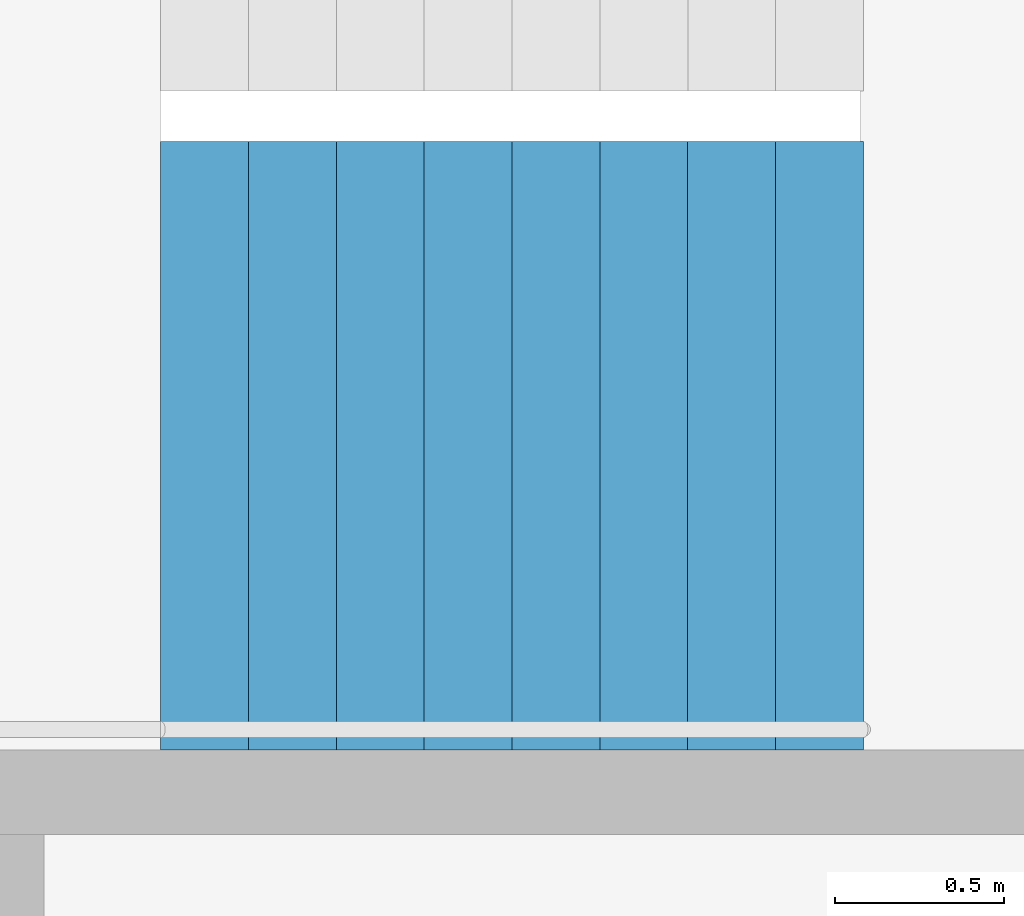
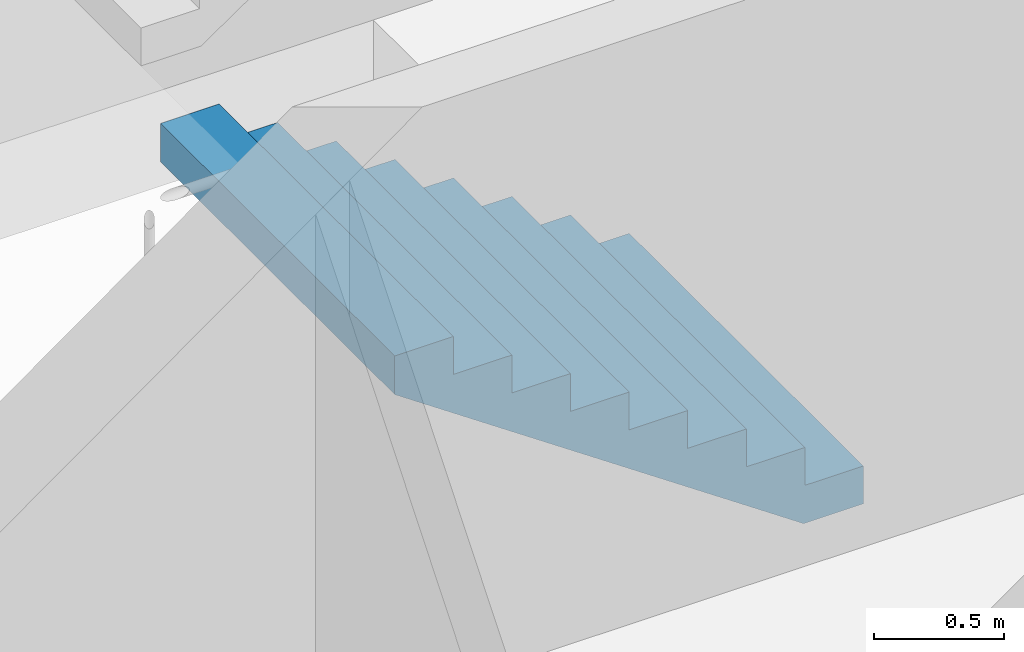
# One storey, part 25 of 32: 1 stair flight, 1 element without a shape of its own.
"""IFC4 building model written with IfcOpenShell, lengths in metres."""

from ifc_helpers import new_model, si_unit, direction, frame, origin, place, context, subcontext, project, spatial, triangles, material, type_object, element, aggregate, save


model = new_model("IFC4")

# Units and contexts
model_context = context("Model", 3, precision=1e-05, world=origin(), true_north=direction((0.0, 1.0)))
body_context = subcontext(model_context, "Body", "Model", "MODEL_VIEW")
ifc_project = project(units=[si_unit("LENGTHUNIT", "METRE"), si_unit("AREAUNIT", "SQUARE_METRE"), si_unit("VOLUMEUNIT", "CUBIC_METRE"), si_unit("PLANEANGLEUNIT", "RADIAN"), si_unit("MASSUNIT", "GRAM", prefix="KILO")], contexts=[model_context])

# Site, building, storey
site_placement = place(None, origin())
site = spatial("IfcSite", under=ifc_project, at=site_placement, CompositionType="ELEMENT")
building_placement = place(site_placement, origin())
building = spatial("IfcBuilding", under=site, at=building_placement, Name="Hakoniwa Tower and Hamabe Station Hall", CompositionType="ELEMENT")
storey_placement = place(building_placement, frame((0.0, 0.0, 150.199951171875)))
storey = spatial("IfcBuildingStorey", under=building, at=storey_placement, Name="L42", CompositionType="ELEMENT", Elevation=150.199951171875)

# Stair, stair flight
ifc_material_1 = material(Name="Concrete C40", Category="concrete")
stair_type = type_object("IfcStairType", Name="ESCAPE STAIR 1800", PredefinedType="HALF_TURN_STAIR", material=ifc_material_1)
stair_placement = place(storey_placement, origin())
stair = element("IfcStair", 1, at=stair_placement, inside=storey, type_object=stair_type, Name="Escape stair ST-3 L42", PredefinedType="HALF_TURN_STAIR")
ifc_material_2 = material(Name="Concrete C40", Category="concrete")
stair_flight_type = type_object("IfcStairFlightType", Name="STAIR FLIGHT 1800", PredefinedType="STRAIGHT", material=ifc_material_2)
stair_flight_placement = place(storey_placement, frame((24.39990234375, 4.64990234375, 0.0), z_axis=(0.0, 0.0, 1.0), x_axis=(-1.0, 0.0, 0.0)))
stair_flight = element("IfcStairFlight", 2, at=stair_flight_placement, type_object=stair_flight_type, Name="ST-3 flight 1", NumberOfRisers=9, NumberOfTreads=8, PredefinedType="STRAIGHT", RiserHeight=0.177777778, TreadLength=0.26, context=body_context, shape_type="Tessellation", body=[
    triangles([(0.0, 0.89990234375, 0.0), (0.260009765625, 0.89990234375, 0.0), (0.265625, 0.89990234375, 0.0), (0.52001953125, 0.89990234375, 0.174072265625), (0.780029296875, 0.89990234375, 0.351806640625), (1.0400390625, 0.89990234375, 0.529541015625), (1.300048828125, 0.89990234375, 0.707275390625), (1.56005859375, 0.89990234375, 0.885009765625), (1.820068359375, 0.89990234375, 1.062744140625), (2.080078125, 0.89990234375, 1.24072265625), (2.080078125, 0.89990234375, 1.422119140625), (1.820068359375, 0.89990234375, 1.422119140625), (1.820068359375, 0.89990234375, 1.244384765625), (1.56005859375, 0.89990234375, 1.244384765625), (1.56005859375, 0.89990234375, 1.066650390625), (1.300048828125, 0.89990234375, 1.066650390625), (1.300048828125, 0.89990234375, 0.888916015625), (1.0400390625, 0.89990234375, 0.888916015625), (1.0400390625, 0.89990234375, 0.711181640625), (0.780029296875, 0.89990234375, 0.711181640625), (0.780029296875, 0.89990234375, 0.533447265625), (0.52001953125, 0.89990234375, 0.533447265625), (0.52001953125, 0.89990234375, 0.35546875), (0.265625, 0.89990234375, 0.35546875), (0.260009765625, 0.89990234375, 0.35546875), (0.260009765625, 0.89990234375, 0.177734375), (0.0, 0.89990234375, 0.177734375), (0.0, 0.06005859375, 0.0), (0.260009765625, 0.06005859375, 0.0), (0.265625, 0.06005859375, 0.0), (0.52001953125, 0.06005859375, 0.174072265625), (0.780029296875, 0.06005859375, 0.351806640625), (1.0400390625, 0.06005859375, 0.529541015625), (1.300048828125, 0.06005859375, 0.707275390625), (1.56005859375, 0.06005859375, 0.885009765625), (1.820068359375, 0.06005859375, 1.062744140625), (2.080078125, 0.06005859375, 1.24072265625), (2.080078125, 0.06005859375, 1.422119140625), (1.820068359375, 0.06005859375, 1.422119140625), (1.820068359375, 0.06005859375, 1.244384765625), (1.56005859375, 0.06005859375, 1.244384765625), (1.56005859375, 0.06005859375, 1.066650390625), (1.300048828125, 0.06005859375, 1.066650390625), (1.300048828125, 0.06005859375, 0.888916015625), (1.0400390625, 0.06005859375, 0.888916015625), (1.0400390625, 0.06005859375, 0.711181640625), (0.780029296875, 0.06005859375, 0.711181640625), (0.780029296875, 0.06005859375, 0.533447265625), (0.52001953125, 0.06005859375, 0.533447265625), (0.52001953125, 0.06005859375, 0.35546875), (0.265625, 0.06005859375, 0.35546875), (0.260009765625, 0.06005859375, 0.35546875), (0.260009765625, 0.06005859375, 0.177734375), (0.0, 0.06005859375, 0.177734375), (0.0, 0.04296875, 0.0), (0.260009765625, 0.04296875, 0.0), (0.265625, 0.04296875, 0.0), (0.52001953125, 0.04296875, 0.174072265625), (0.780029296875, 0.04296875, 0.351806640625), (1.0400390625, 0.04296875, 0.529541015625), (1.300048828125, 0.04296875, 0.707275390625), (1.56005859375, 0.04296875, 0.885009765625), (1.820068359375, 0.04296875, 1.062744140625), (2.080078125, 0.04296875, 1.24072265625), (2.080078125, 0.04296875, 1.422119140625), (1.820068359375, 0.04296875, 1.422119140625), (1.820068359375, 0.04296875, 1.244384765625), (1.56005859375, 0.04296875, 1.244384765625), (1.56005859375, 0.04296875, 1.066650390625), (1.300048828125, 0.04296875, 1.066650390625), (1.300048828125, 0.04296875, 0.888916015625), (1.0400390625, 0.04296875, 0.888916015625), (1.0400390625, 0.04296875, 0.711181640625), (0.780029296875, 0.04296875, 0.711181640625), (0.780029296875, 0.04296875, 0.533447265625), (0.52001953125, 0.04296875, 0.533447265625), (0.52001953125, 0.04296875, 0.35546875), (0.265625, 0.04296875, 0.35546875), (0.260009765625, 0.04296875, 0.35546875), (0.260009765625, 0.04296875, 0.177734375), (0.0, 0.04296875, 0.177734375), (0.0, 0.025634765625, 0.0), (0.260009765625, 0.025634765625, 0.0), (0.265625, 0.025634765625, 0.0), (0.52001953125, 0.025634765625, 0.174072265625), (0.780029296875, 0.025634765625, 0.351806640625), (1.0400390625, 0.025634765625, 0.529541015625), (1.300048828125, 0.025634765625, 0.707275390625), (1.56005859375, 0.025634765625, 0.885009765625), (1.820068359375, 0.025634765625, 1.062744140625), (2.080078125, 0.025634765625, 1.24072265625), (2.080078125, 0.025634765625, 1.422119140625), (1.820068359375, 0.025634765625, 1.422119140625), (1.820068359375, 0.025634765625, 1.244384765625), (1.56005859375, 0.025634765625, 1.244384765625), (1.56005859375, 0.025634765625, 1.066650390625), (1.300048828125, 0.025634765625, 1.066650390625), (1.300048828125, 0.025634765625, 0.888916015625), (1.0400390625, 0.025634765625, 0.888916015625), (1.0400390625, 0.025634765625, 0.711181640625), (0.780029296875, 0.025634765625, 0.711181640625), (0.780029296875, 0.025634765625, 0.533447265625), (0.52001953125, 0.025634765625, 0.533447265625), (0.52001953125, 0.025634765625, 0.35546875), (0.265625, 0.025634765625, 0.35546875), (0.260009765625, 0.025634765625, 0.35546875), (0.260009765625, 0.025634765625, 0.177734375), (0.0, 0.025634765625, 0.177734375), (0.0, 0.008544921875, 0.0), (0.260009765625, 0.008544921875, 0.0), (0.265625, 0.008544921875, 0.0), (0.52001953125, 0.008544921875, 0.174072265625), (0.780029296875, 0.008544921875, 0.351806640625), (1.0400390625, 0.008544921875, 0.529541015625), (1.300048828125, 0.008544921875, 0.707275390625), (1.56005859375, 0.008544921875, 0.885009765625), (1.820068359375, 0.008544921875, 1.062744140625), (2.080078125, 0.008544921875, 1.24072265625), (2.080078125, 0.008544921875, 1.422119140625), (1.820068359375, 0.008544921875, 1.422119140625), (1.820068359375, 0.008544921875, 1.244384765625), (1.56005859375, 0.008544921875, 1.244384765625), (1.56005859375, 0.008544921875, 1.066650390625), (1.300048828125, 0.008544921875, 1.066650390625), (1.300048828125, 0.008544921875, 0.888916015625), (1.0400390625, 0.008544921875, 0.888916015625), (1.0400390625, 0.008544921875, 0.711181640625), (0.780029296875, 0.008544921875, 0.711181640625), (0.780029296875, 0.008544921875, 0.533447265625), (0.52001953125, 0.008544921875, 0.533447265625), (0.52001953125, 0.008544921875, 0.35546875), (0.265625, 0.008544921875, 0.35546875), (0.260009765625, 0.008544921875, 0.35546875), (0.260009765625, 0.008544921875, 0.177734375), (0.0, 0.008544921875, 0.177734375), (0.0, -0.008544921875, 0.0), (0.260009765625, -0.008544921875, 0.0), (0.265625, -0.008544921875, 0.0), (0.52001953125, -0.008544921875, 0.174072265625), (0.780029296875, -0.008544921875, 0.351806640625), (1.0400390625, -0.008544921875, 0.529541015625), (1.300048828125, -0.008544921875, 0.707275390625), (1.56005859375, -0.008544921875, 0.885009765625), (1.820068359375, -0.008544921875, 1.062744140625), (2.080078125, -0.008544921875, 1.24072265625), (2.080078125, -0.008544921875, 1.422119140625), (1.820068359375, -0.008544921875, 1.422119140625), (1.820068359375, -0.008544921875, 1.244384765625), (1.56005859375, -0.008544921875, 1.244384765625), (1.56005859375, -0.008544921875, 1.066650390625), (1.300048828125, -0.008544921875, 1.066650390625), (1.300048828125, -0.008544921875, 0.888916015625), (1.0400390625, -0.008544921875, 0.888916015625), (1.0400390625, -0.008544921875, 0.711181640625), (0.780029296875, -0.008544921875, 0.711181640625), (0.780029296875, -0.008544921875, 0.533447265625), (0.52001953125, -0.008544921875, 0.533447265625), (0.52001953125, -0.008544921875, 0.35546875), (0.265625, -0.008544921875, 0.35546875), (0.260009765625, -0.008544921875, 0.35546875), (0.260009765625, -0.008544921875, 0.177734375), (0.0, -0.008544921875, 0.177734375), (0.0, -0.025634765625, 0.0), (0.260009765625, -0.025634765625, 0.0), (0.265625, -0.025634765625, 0.0), (0.52001953125, -0.025634765625, 0.174072265625), (0.780029296875, -0.025634765625, 0.351806640625), (1.0400390625, -0.025634765625, 0.529541015625), (1.300048828125, -0.025634765625, 0.707275390625), (1.56005859375, -0.025634765625, 0.885009765625), (1.820068359375, -0.025634765625, 1.062744140625), (2.080078125, -0.025634765625, 1.24072265625), (2.080078125, -0.025634765625, 1.422119140625), (1.820068359375, -0.025634765625, 1.422119140625), (1.820068359375, -0.025634765625, 1.244384765625), (1.56005859375, -0.025634765625, 1.244384765625), (1.56005859375, -0.025634765625, 1.066650390625), (1.300048828125, -0.025634765625, 1.066650390625), (1.300048828125, -0.025634765625, 0.888916015625), (1.0400390625, -0.025634765625, 0.888916015625), (1.0400390625, -0.025634765625, 0.711181640625), (0.780029296875, -0.025634765625, 0.711181640625), (0.780029296875, -0.025634765625, 0.533447265625), (0.52001953125, -0.025634765625, 0.533447265625), (0.52001953125, -0.025634765625, 0.35546875), (0.265625, -0.025634765625, 0.35546875), (0.260009765625, -0.025634765625, 0.35546875), (0.260009765625, -0.025634765625, 0.177734375), (0.0, -0.025634765625, 0.177734375), (0.0, -0.04296875, 0.0), (0.260009765625, -0.04296875, 0.0), (0.265625, -0.04296875, 0.0), (0.52001953125, -0.04296875, 0.174072265625), (0.780029296875, -0.04296875, 0.351806640625), (1.0400390625, -0.04296875, 0.529541015625), (1.300048828125, -0.04296875, 0.707275390625), (1.56005859375, -0.04296875, 0.885009765625), (1.820068359375, -0.04296875, 1.062744140625), (2.080078125, -0.04296875, 1.24072265625), (2.080078125, -0.04296875, 1.422119140625), (1.820068359375, -0.04296875, 1.422119140625), (1.820068359375, -0.04296875, 1.244384765625), (1.56005859375, -0.04296875, 1.244384765625), (1.56005859375, -0.04296875, 1.066650390625), (1.300048828125, -0.04296875, 1.066650390625), (1.300048828125, -0.04296875, 0.888916015625), (1.0400390625, -0.04296875, 0.888916015625), (1.0400390625, -0.04296875, 0.711181640625), (0.780029296875, -0.04296875, 0.711181640625), (0.780029296875, -0.04296875, 0.533447265625), (0.52001953125, -0.04296875, 0.533447265625), (0.52001953125, -0.04296875, 0.35546875), (0.265625, -0.04296875, 0.35546875), (0.260009765625, -0.04296875, 0.35546875), (0.260009765625, -0.04296875, 0.177734375), (0.0, -0.04296875, 0.177734375), (0.0, -0.06005859375, 0.0), (0.260009765625, -0.06005859375, 0.0), (0.265625, -0.06005859375, 0.0), (0.52001953125, -0.06005859375, 0.174072265625), (0.780029296875, -0.06005859375, 0.351806640625), (1.0400390625, -0.06005859375, 0.529541015625), (1.300048828125, -0.06005859375, 0.707275390625), (1.56005859375, -0.06005859375, 0.885009765625), (1.820068359375, -0.06005859375, 1.062744140625), (2.080078125, -0.06005859375, 1.24072265625), (2.080078125, -0.06005859375, 1.422119140625), (1.820068359375, -0.06005859375, 1.422119140625), (1.820068359375, -0.06005859375, 1.244384765625), (1.56005859375, -0.06005859375, 1.244384765625), (1.56005859375, -0.06005859375, 1.066650390625), (1.300048828125, -0.06005859375, 1.066650390625), (1.300048828125, -0.06005859375, 0.888916015625), (1.0400390625, -0.06005859375, 0.888916015625), (1.0400390625, -0.06005859375, 0.711181640625), (0.780029296875, -0.06005859375, 0.711181640625), (0.780029296875, -0.06005859375, 0.533447265625), (0.52001953125, -0.06005859375, 0.533447265625), (0.52001953125, -0.06005859375, 0.35546875), (0.265625, -0.06005859375, 0.35546875), (0.260009765625, -0.06005859375, 0.35546875), (0.260009765625, -0.06005859375, 0.177734375), (0.0, -0.06005859375, 0.177734375), (0.0, -0.89990234375, 0.0), (0.260009765625, -0.89990234375, 0.0), (0.265625, -0.89990234375, 0.0), (0.52001953125, -0.89990234375, 0.174072265625), (0.780029296875, -0.89990234375, 0.351806640625), (1.0400390625, -0.89990234375, 0.529541015625), (1.300048828125, -0.89990234375, 0.707275390625), (1.56005859375, -0.89990234375, 0.885009765625), (1.820068359375, -0.89990234375, 1.062744140625), (2.080078125, -0.89990234375, 1.24072265625), (2.080078125, -0.89990234375, 1.422119140625), (1.820068359375, -0.89990234375, 1.422119140625), (1.820068359375, -0.89990234375, 1.244384765625), (1.56005859375, -0.89990234375, 1.244384765625), (1.56005859375, -0.89990234375, 1.066650390625), (1.300048828125, -0.89990234375, 1.066650390625), (1.300048828125, -0.89990234375, 0.888916015625), (1.0400390625, -0.89990234375, 0.888916015625), (1.0400390625, -0.89990234375, 0.711181640625), (0.780029296875, -0.89990234375, 0.711181640625), (0.780029296875, -0.89990234375, 0.533447265625), (0.52001953125, -0.89990234375, 0.533447265625), (0.52001953125, -0.89990234375, 0.35546875), (0.265625, -0.89990234375, 0.35546875), (0.260009765625, -0.89990234375, 0.35546875), (0.260009765625, -0.89990234375, 0.177734375), (0.0, -0.89990234375, 0.177734375)], [[2, 27, 26], [245, 269, 270], [2, 1, 27], [245, 270, 244], [3, 25, 24], [246, 267, 268], [3, 26, 25], [246, 268, 269], [3, 2, 26], [246, 269, 245], [4, 24, 23], [247, 266, 267], [4, 3, 24], [247, 267, 246], [5, 22, 21], [248, 264, 265], [5, 23, 22], [248, 265, 266], [5, 4, 23], [248, 266, 247], [6, 20, 19], [249, 262, 263], [6, 21, 20], [249, 263, 264], [6, 5, 21], [249, 264, 248], [7, 18, 17], [250, 260, 261], [7, 19, 18], [250, 261, 262], [7, 6, 19], [250, 262, 249], [8, 16, 15], [251, 258, 259], [8, 17, 16], [251, 259, 260], [8, 7, 17], [251, 260, 250], [9, 14, 13], [252, 256, 257], [9, 15, 14], [252, 257, 258], [9, 8, 15], [252, 258, 251], [10, 12, 11], [253, 254, 255], [10, 13, 12], [253, 255, 256], [10, 9, 13], [253, 256, 252], [1, 2, 29], [1, 29, 28], [28, 29, 56], [28, 56, 55], [55, 56, 83], [55, 83, 82], [82, 83, 110], [82, 110, 109], [109, 110, 137], [109, 137, 136], [136, 137, 164], [136, 164, 163], [163, 164, 191], [163, 191, 190], [190, 191, 218], [190, 218, 217], [217, 218, 245], [217, 245, 244], [2, 3, 30], [2, 30, 29], [29, 30, 57], [29, 57, 56], [56, 57, 84], [56, 84, 83], [83, 84, 111], [83, 111, 110], [110, 111, 138], [110, 138, 137], [137, 138, 165], [137, 165, 164], [164, 165, 192], [164, 192, 191], [191, 192, 219], [191, 219, 218], [218, 219, 246], [218, 246, 245], [3, 4, 31], [3, 31, 30], [30, 31, 58], [30, 58, 57], [57, 58, 85], [57, 85, 84], [84, 85, 112], [84, 112, 111], [111, 112, 139], [111, 139, 138], [138, 139, 166], [138, 166, 165], [165, 166, 193], [165, 193, 192], [192, 193, 220], [192, 220, 219], [219, 220, 247], [219, 247, 246], [4, 5, 32], [4, 32, 31], [31, 32, 59], [31, 59, 58], [58, 59, 86], [58, 86, 85], [85, 86, 113], [85, 113, 112], [112, 113, 140], [112, 140, 139], [139, 140, 167], [139, 167, 166], [166, 167, 194], [166, 194, 193], [193, 194, 221], [193, 221, 220], [220, 221, 248], [220, 248, 247], [5, 6, 33], [5, 33, 32], [32, 33, 60], [32, 60, 59], [59, 60, 87], [59, 87, 86], [86, 87, 114], [86, 114, 113], [113, 114, 141], [113, 141, 140], [140, 141, 168], [140, 168, 167], [167, 168, 195], [167, 195, 194], [194, 195, 222], [194, 222, 221], [221, 222, 249], [221, 249, 248], [6, 7, 34], [6, 34, 33], [33, 34, 61], [33, 61, 60], [60, 61, 88], [60, 88, 87], [87, 88, 115], [87, 115, 114], [114, 115, 142], [114, 142, 141], [141, 142, 169], [141, 169, 168], [168, 169, 196], [168, 196, 195], [195, 196, 223], [195, 223, 222], [222, 223, 250], [222, 250, 249], [7, 8, 35], [7, 35, 34], [34, 35, 62], [34, 62, 61], [61, 62, 89], [61, 89, 88], [88, 89, 116], [88, 116, 115], [115, 116, 143], [115, 143, 142], [142, 143, 170], [142, 170, 169], [169, 170, 197], [169, 197, 196], [196, 197, 224], [196, 224, 223], [223, 224, 251], [223, 251, 250], [8, 9, 36], [8, 36, 35], [35, 36, 63], [35, 63, 62], [62, 63, 90], [62, 90, 89], [89, 90, 117], [89, 117, 116], [116, 117, 144], [116, 144, 143], [143, 144, 171], [143, 171, 170], [170, 171, 198], [170, 198, 197], [197, 198, 225], [197, 225, 224], [224, 225, 252], [224, 252, 251], [9, 10, 37], [9, 37, 36], [36, 37, 64], [36, 64, 63], [63, 64, 91], [63, 91, 90], [90, 91, 118], [90, 118, 117], [117, 118, 145], [117, 145, 144], [144, 145, 172], [144, 172, 171], [171, 172, 199], [171, 199, 198], [198, 199, 226], [198, 226, 225], [225, 226, 253], [225, 253, 252], [10, 11, 38], [10, 38, 37], [37, 38, 65], [37, 65, 64], [64, 65, 92], [64, 92, 91], [91, 92, 119], [91, 119, 118], [118, 119, 146], [118, 146, 145], [145, 146, 173], [145, 173, 172], [172, 173, 200], [172, 200, 199], [199, 200, 227], [199, 227, 226], [226, 227, 254], [226, 254, 253], [11, 12, 39], [11, 39, 38], [38, 39, 66], [38, 66, 65], [65, 66, 93], [65, 93, 92], [92, 93, 120], [92, 120, 119], [119, 120, 147], [119, 147, 146], [146, 147, 174], [146, 174, 173], [173, 174, 201], [173, 201, 200], [200, 201, 228], [200, 228, 227], [227, 228, 255], [227, 255, 254], [12, 13, 40], [12, 40, 39], [39, 40, 67], [39, 67, 66], [66, 67, 94], [66, 94, 93], [93, 94, 121], [93, 121, 120], [120, 121, 148], [120, 148, 147], [147, 148, 175], [147, 175, 174], [174, 175, 202], [174, 202, 201], [201, 202, 229], [201, 229, 228], [228, 229, 256], [228, 256, 255], [13, 14, 41], [13, 41, 40], [40, 41, 68], [40, 68, 67], [67, 68, 95], [67, 95, 94], [94, 95, 122], [94, 122, 121], [121, 122, 149], [121, 149, 148], [148, 149, 176], [148, 176, 175], [175, 176, 203], [175, 203, 202], [202, 203, 230], [202, 230, 229], [229, 230, 257], [229, 257, 256], [14, 15, 42], [14, 42, 41], [41, 42, 69], [41, 69, 68], [68, 69, 96], [68, 96, 95], [95, 96, 123], [95, 123, 122], [122, 123, 150], [122, 150, 149], [149, 150, 177], [149, 177, 176], [176, 177, 204], [176, 204, 203], [203, 204, 231], [203, 231, 230], [230, 231, 258], [230, 258, 257], [15, 16, 43], [15, 43, 42], [42, 43, 70], [42, 70, 69], [69, 70, 97], [69, 97, 96], [96, 97, 124], [96, 124, 123], [123, 124, 151], [123, 151, 150], [150, 151, 178], [150, 178, 177], [177, 178, 205], [177, 205, 204], [204, 205, 232], [204, 232, 231], [231, 232, 259], [231, 259, 258], [16, 17, 44], [16, 44, 43], [43, 44, 71], [43, 71, 70], [70, 71, 98], [70, 98, 97], [97, 98, 125], [97, 125, 124], [124, 125, 152], [124, 152, 151], [151, 152, 179], [151, 179, 178], [178, 179, 206], [178, 206, 205], [205, 206, 233], [205, 233, 232], [232, 233, 260], [232, 260, 259], [17, 18, 45], [17, 45, 44], [44, 45, 72], [44, 72, 71], [71, 72, 99], [71, 99, 98], [98, 99, 126], [98, 126, 125], [125, 126, 153], [125, 153, 152], [152, 153, 180], [152, 180, 179], [179, 180, 207], [179, 207, 206], [206, 207, 234], [206, 234, 233], [233, 234, 261], [233, 261, 260], [18, 19, 46], [18, 46, 45], [45, 46, 73], [45, 73, 72], [72, 73, 100], [72, 100, 99], [99, 100, 127], [99, 127, 126], [126, 127, 154], [126, 154, 153], [153, 154, 181], [153, 181, 180], [180, 181, 208], [180, 208, 207], [207, 208, 235], [207, 235, 234], [234, 235, 262], [234, 262, 261], [19, 20, 47], [19, 47, 46], [46, 47, 74], [46, 74, 73], [73, 74, 101], [73, 101, 100], [100, 101, 128], [100, 128, 127], [127, 128, 155], [127, 155, 154], [154, 155, 182], [154, 182, 181], [181, 182, 209], [181, 209, 208], [208, 209, 236], [208, 236, 235], [235, 236, 263], [235, 263, 262], [20, 21, 48], [20, 48, 47], [47, 48, 75], [47, 75, 74], [74, 75, 102], [74, 102, 101], [101, 102, 129], [101, 129, 128], [128, 129, 156], [128, 156, 155], [155, 156, 183], [155, 183, 182], [182, 183, 210], [182, 210, 209], [209, 210, 237], [209, 237, 236], [236, 237, 264], [236, 264, 263], [21, 22, 49], [21, 49, 48], [48, 49, 76], [48, 76, 75], [75, 76, 103], [75, 103, 102], [102, 103, 130], [102, 130, 129], [129, 130, 157], [129, 157, 156], [156, 157, 184], [156, 184, 183], [183, 184, 211], [183, 211, 210], [210, 211, 238], [210, 238, 237], [237, 238, 265], [237, 265, 264], [22, 23, 50], [22, 50, 49], [49, 50, 77], [49, 77, 76], [76, 77, 104], [76, 104, 103], [103, 104, 131], [103, 131, 130], [130, 131, 158], [130, 158, 157], [157, 158, 185], [157, 185, 184], [184, 185, 212], [184, 212, 211], [211, 212, 239], [211, 239, 238], [238, 239, 266], [238, 266, 265], [23, 24, 51], [23, 51, 50], [50, 51, 78], [50, 78, 77], [77, 78, 105], [77, 105, 104], [104, 105, 132], [104, 132, 131], [131, 132, 159], [131, 159, 158], [158, 159, 186], [158, 186, 185], [185, 186, 213], [185, 213, 212], [212, 213, 240], [212, 240, 239], [239, 240, 267], [239, 267, 266], [24, 25, 52], [24, 52, 51], [51, 52, 79], [51, 79, 78], [78, 79, 106], [78, 106, 105], [105, 106, 133], [105, 133, 132], [132, 133, 160], [132, 160, 159], [159, 160, 187], [159, 187, 186], [186, 187, 214], [186, 214, 213], [213, 214, 241], [213, 241, 240], [240, 241, 268], [240, 268, 267], [25, 26, 53], [25, 53, 52], [52, 53, 80], [52, 80, 79], [79, 80, 107], [79, 107, 106], [106, 107, 134], [106, 134, 133], [133, 134, 161], [133, 161, 160], [160, 161, 188], [160, 188, 187], [187, 188, 215], [187, 215, 214], [214, 215, 242], [214, 242, 241], [241, 242, 269], [241, 269, 268], [26, 27, 54], [26, 54, 53], [53, 54, 81], [53, 81, 80], [80, 81, 108], [80, 108, 107], [107, 108, 135], [107, 135, 134], [134, 135, 162], [134, 162, 161], [161, 162, 189], [161, 189, 188], [188, 189, 216], [188, 216, 215], [215, 216, 243], [215, 243, 242], [242, 243, 270], [242, 270, 269], [27, 1, 28], [27, 28, 54], [54, 28, 55], [54, 55, 81], [81, 55, 82], [81, 82, 108], [108, 82, 109], [108, 109, 135], [135, 109, 136], [135, 136, 162], [162, 136, 163], [162, 163, 189], [189, 163, 190], [189, 190, 216], [216, 190, 217], [216, 217, 243], [243, 217, 244], [243, 244, 270]], closed=True),
])
aggregate(stair, [stair_flight])

save(model, "model.ifc")
